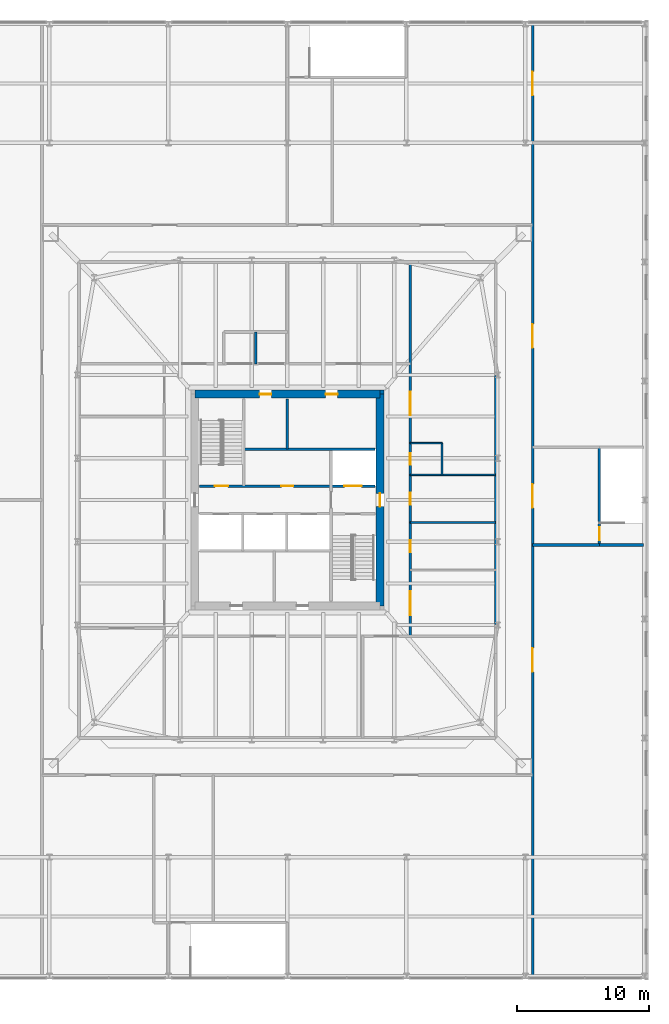
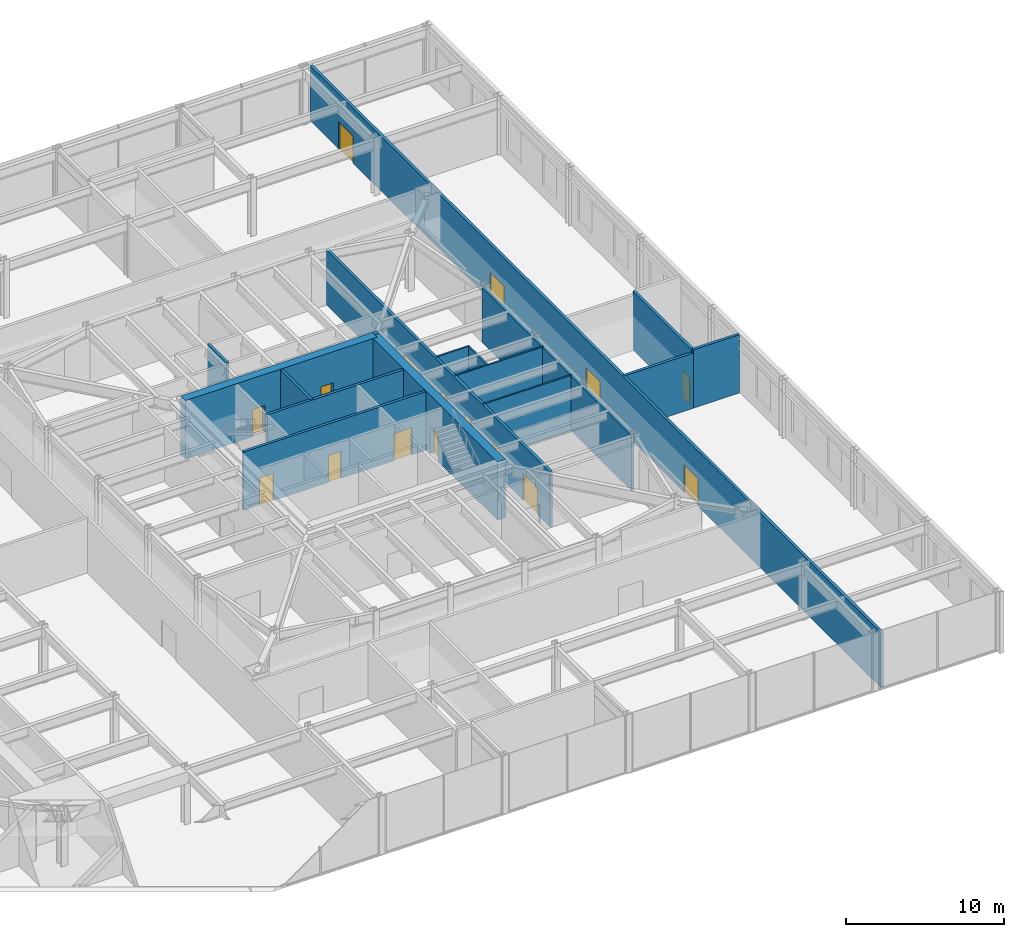
# One storey, part 25 of 30: 17 walls, 16 doors, 16 openings.
"""IFC4 building model written with IfcOpenShell, lengths in metres."""

from ifc_helpers import new_model, si_unit, direction, frame, frame_2d, origin, place, context, subcontext, project, spatial, rectangle, extrude, material, layer, layer_set, type_object, element, fill, save


model = new_model("IFC4")

# Units and contexts
model_context = context("Model", 3, precision=1e-05, world=origin(), true_north=direction((0.0, 1.0)))
body_context = subcontext(model_context, "Body", "Model", "MODEL_VIEW")
ifc_project = project(units=[si_unit("LENGTHUNIT", "METRE"), si_unit("AREAUNIT", "SQUARE_METRE"), si_unit("VOLUMEUNIT", "CUBIC_METRE"), si_unit("PLANEANGLEUNIT", "RADIAN"), si_unit("MASSUNIT", "GRAM", prefix="KILO")], contexts=[model_context])

# Site, building, storey
site_placement = place(None, origin())
site = spatial("IfcSite", under=ifc_project, at=site_placement, CompositionType="ELEMENT")
building_placement = place(site_placement, origin())
building = spatial("IfcBuilding", under=site, at=building_placement, Name="Iwan Alto Co-Living Towers", CompositionType="ELEMENT")
storey_placement = place(building_placement, frame((0.0, 0.0, 10.5)))
storey = spatial("IfcBuildingStorey", under=building, at=storey_placement, Name="L02", CompositionType="ELEMENT", Elevation=10.5)

# Wall
ifc_material_1 = material(Name="Concrete block masonry f*p 10 MPa", Category="masonry")
ifc_layer_1 = layer(ifc_material_1, 0.199951171875)
ifc_layer_set_1 = layer_set([ifc_layer_1], Name="PODIUM INTERNAL WALL 200")
wall_type_1 = type_object("IfcWallType", Name="PODIUM INTERNAL WALL 200", PredefinedType="SOLIDWALL", material=ifc_layer_set_1)
wall_1_placement = place(storey_placement, frame((81.550048828125, -3.39990234375, 0.0), z_axis=(0.0, 0.0, 1.0), x_axis=(1.0, 0.0, 0.0)))
element("IfcWall", 1, at=wall_1_placement, inside=storey, type_object=wall_type_1, Name="Partition L02", PredefinedType="SOLIDWALL", context=body_context, shape_type="SweptSolid", body=[
    extrude(rectangle(XDim=5.050048828125, YDim=0.199951171875, at=frame_2d((2.52490234375, 0.0))), origin(), (0.0, 0.0, 1.0), 4.25),
])

# Wall, openings, doors
wall_2_placement = place(storey_placement, frame((81.550048828125, -36.050048828125, 0.0), z_axis=(0.0, 0.0, 1.0), x_axis=(0.0, 1.0, 0.0)))
wall_2 = element("IfcWall", 2, at=wall_2_placement, inside=storey, type_object=wall_type_1, Name="Partition L02", PredefinedType="SOLIDWALL", context=body_context, shape_type="SweptSolid", body=[
    extrude(rectangle(XDim=72.10009765625, YDim=0.199951171875, at=frame_2d((36.050048828125, 0.0))), origin(), (0.0, 0.0, 1.0), 4.25),
])
opening_1_placement = place(wall_2_placement, frame((66.64990234375, 0.0, 0.0)))
opening_1 = element("IfcOpeningElement", 3, at=opening_1_placement, cuts=wall_2, Name="Opening D9", PredefinedType="OPENING", context=body_context, shape_type="SweptSolid", body=[
    extrude(rectangle(XDim=1.800048828125, YDim=2.10009765625, at=frame_2d((0.89990234375, 1.050048828125))), frame((0.0, 0.10986328125, 0.0), z_axis=(0.0, -1.0, 0.0), x_axis=(1.0, 0.0, 0.0)), (0.0, 0.0, 1.0), 0.219970703125),
])
opening_2_placement = place(wall_2_placement, frame((23.050048828125, 0.0, 0.0)))
opening_2 = element("IfcOpeningElement", 4, at=opening_2_placement, cuts=wall_2, Name="Opening D9", PredefinedType="OPENING", context=body_context, shape_type="SweptSolid", body=[
    extrude(rectangle(XDim=1.800048828125, YDim=2.10009765625, at=frame_2d((0.89990234375, 1.050048828125))), frame((0.0, 0.10986328125, 0.0), z_axis=(0.0, -1.0, 0.0), x_axis=(1.0, 0.0, 0.0)), (0.0, 0.0, 1.0), 0.219970703125),
])
opening_3_placement = place(wall_2_placement, frame((35.449951171875, 0.0, 0.0)))
opening_3 = element("IfcOpeningElement", 5, at=opening_3_placement, cuts=wall_2, Name="Opening D9", PredefinedType="OPENING", context=body_context, shape_type="SweptSolid", body=[
    extrude(rectangle(XDim=1.800048828125, YDim=2.10009765625, at=frame_2d((0.89990234375, 1.050048828125))), frame((0.0, 0.10986328125, 0.0), z_axis=(0.0, -1.0, 0.0), x_axis=(1.0, 0.0, 0.0)), (0.0, 0.0, 1.0), 0.219970703125),
])
opening_4_placement = place(wall_2_placement, frame((47.550048828125, 0.0, 0.0)))
opening_4 = element("IfcOpeningElement", 6, at=opening_4_placement, cuts=wall_2, Name="Opening D9", PredefinedType="OPENING", context=body_context, shape_type="SweptSolid", body=[
    extrude(rectangle(XDim=1.800048828125, YDim=2.10009765625, at=frame_2d((0.89990234375, 1.050048828125))), frame((0.0, 0.10986328125, 0.0), z_axis=(0.0, -1.0, 0.0), x_axis=(1.0, 0.0, 0.0)), (0.0, 0.0, 1.0), 0.219970703125),
])
ifc_material_2 = material(Name="Steel frame with timber leaf", Category="steel")
door_type_1 = type_object("IfcDoorType", Name="LOUNGE DOOR FD30S 1800X2100", OperationType="DOUBLE_DOOR_SINGLE_SWING", PredefinedType="DOOR", material=ifc_material_2)
door_1_placement = place(opening_1_placement, origin())
door_1 = element("IfcDoor", 7, at=door_1_placement, inside=storey, type_object=door_type_1, Name="Store door L02", OperationType="DOUBLE_DOOR_SINGLE_SWING", OverallHeight=2.10009765625, OverallWidth=1.800048828125, PredefinedType="DOOR", context=body_context, shape_type="SweptSolid", body=[
    extrude(rectangle(XDim=1.800048828125, YDim=2.10009765625, at=frame_2d((0.89990234375, 1.050048828125))), frame((0.0, 0.02490234375, 0.0), z_axis=(0.0, -1.0, 0.0), x_axis=(1.0, 0.0, 0.0)), (0.0, 0.0, 1.0), 0.050048828125),
])
fill(opening_1, door_1)
door_2_placement = place(opening_2_placement, frame((1.800048828125, 0.0, 0.0), z_axis=(0.0, 0.0, 1.0), x_axis=(-1.0, 0.0, 0.0)))
door_2 = element("IfcDoor", 8, at=door_2_placement, inside=storey, type_object=door_type_1, Name="Plant room door L02", OperationType="DOUBLE_DOOR_SINGLE_SWING", OverallHeight=2.10009765625, OverallWidth=1.800048828125, PredefinedType="DOOR", context=body_context, shape_type="SweptSolid", body=[
    extrude(rectangle(XDim=1.800048828125, YDim=2.10009765625, at=frame_2d((0.89990234375, 1.050048828125))), frame((0.0, 0.02490234375, 0.0), z_axis=(0.0, -1.0, 0.0), x_axis=(1.0, 0.0, 0.0)), (0.0, 0.0, 1.0), 0.050048828125),
])
fill(opening_2, door_2)
door_3_placement = place(opening_3_placement, frame((1.800048828125, 0.0, 0.0), z_axis=(0.0, 0.0, 1.0), x_axis=(-1.0, 0.0, 0.0)))
door_3 = element("IfcDoor", 9, at=door_3_placement, inside=storey, type_object=door_type_1, Name="Stair lobby door L02", OperationType="DOUBLE_DOOR_SINGLE_SWING", OverallHeight=2.10009765625, OverallWidth=1.800048828125, PredefinedType="DOOR", context=body_context, shape_type="SweptSolid", body=[
    extrude(rectangle(XDim=1.800048828125, YDim=2.10009765625, at=frame_2d((0.89990234375, 1.050048828125))), frame((0.0, 0.02490234375, 0.0), z_axis=(0.0, -1.0, 0.0), x_axis=(1.0, 0.0, 0.0)), (0.0, 0.0, 1.0), 0.050048828125),
])
fill(opening_3, door_3)
door_4_placement = place(opening_4_placement, frame((1.800048828125, 0.0, 0.0), z_axis=(0.0, 0.0, 1.0), x_axis=(-1.0, 0.0, 0.0)))
door_4 = element("IfcDoor", 10, at=door_4_placement, inside=storey, type_object=door_type_1, Name="Plant room door L02", OperationType="DOUBLE_DOOR_SINGLE_SWING", OverallHeight=2.10009765625, OverallWidth=1.800048828125, PredefinedType="DOOR", context=body_context, shape_type="SweptSolid", body=[
    extrude(rectangle(XDim=1.800048828125, YDim=2.10009765625, at=frame_2d((0.89990234375, 1.050048828125))), frame((0.0, 0.02490234375, 0.0), z_axis=(0.0, -1.0, 0.0), x_axis=(1.0, 0.0, 0.0)), (0.0, 0.0, 1.0), 0.050048828125),
])
fill(opening_4, door_4)

wall_3_placement = place(storey_placement, frame((72.300048828125, -10.300048828125, 0.0), z_axis=(0.0, 0.0, 1.0), x_axis=(0.0, 1.0, 0.0)))
wall_3 = element("IfcWall", 11, at=wall_3_placement, inside=storey, type_object=wall_type_1, Name="Partition L02", PredefinedType="SOLIDWALL", context=body_context, shape_type="SweptSolid", body=[
    extrude(rectangle(XDim=28.300048828125, YDim=0.199951171875, at=frame_2d((14.14990234375, 0.0))), origin(), (0.0, 0.0, 1.0), 4.25),
])
opening_5_placement = place(wall_3_placement, frame((1.60009765625, 0.0, 0.0)))
opening_5 = element("IfcOpeningElement", 12, at=opening_5_placement, cuts=wall_3, Name="Opening D9", PredefinedType="OPENING", context=body_context, shape_type="SweptSolid", body=[
    extrude(rectangle(XDim=1.800048828125, YDim=2.10009765625, at=frame_2d((0.89990234375, 1.050048828125))), frame((0.0, 0.10986328125, 0.0), z_axis=(0.0, -1.0, 0.0), x_axis=(1.0, 0.0, 0.0)), (0.0, 0.0, 1.0), 0.219970703125),
])
opening_6_placement = place(wall_3_placement, frame((6.35009765625, 0.0, 0.0)))
opening_6 = element("IfcOpeningElement", 13, at=opening_6_placement, cuts=wall_3, Name="Opening D4", PredefinedType="OPENING", context=body_context, shape_type="SweptSolid", body=[
    extrude(rectangle(XDim=0.89990234375, YDim=2.10009765625, at=frame_2d((0.449951171875, 1.050048828125))), frame((0.0, 0.10986328125, 0.0), z_axis=(0.0, -1.0, 0.0), x_axis=(1.0, 0.0, 0.0)), (0.0, 0.0, 1.0), 0.219970703125),
])
opening_7_placement = place(wall_3_placement, frame((9.949951171875, 0.0, 0.0)))
opening_7 = element("IfcOpeningElement", 14, at=opening_7_placement, cuts=wall_3, Name="Opening D4", PredefinedType="OPENING", context=body_context, shape_type="SweptSolid", body=[
    extrude(rectangle(XDim=0.89990234375, YDim=2.10009765625, at=frame_2d((0.449951171875, 1.050048828125))), frame((0.0, 0.10986328125, 0.0), z_axis=(0.0, -1.0, 0.0), x_axis=(1.0, 0.0, 0.0)), (0.0, 0.0, 1.0), 0.219970703125),
])
opening_8_placement = place(wall_3_placement, frame((12.949951171875, 0.0, 0.0)))
opening_8 = element("IfcOpeningElement", 15, at=opening_8_placement, cuts=wall_3, Name="Opening D4", PredefinedType="OPENING", context=body_context, shape_type="SweptSolid", body=[
    extrude(rectangle(XDim=0.89990234375, YDim=2.10009765625, at=frame_2d((0.449951171875, 1.050048828125))), frame((0.0, 0.10986328125, 0.0), z_axis=(0.0, -1.0, 0.0), x_axis=(1.0, 0.0, 0.0)), (0.0, 0.0, 1.0), 0.219970703125),
])
opening_9_placement = place(wall_3_placement, frame((16.699951171875, 0.0, 0.0)))
opening_9 = element("IfcOpeningElement", 16, at=opening_9_placement, cuts=wall_3, Name="Opening D9", PredefinedType="OPENING", context=body_context, shape_type="SweptSolid", body=[
    extrude(rectangle(XDim=1.800048828125, YDim=2.10009765625, at=frame_2d((0.89990234375, 1.050048828125))), frame((0.0, 0.10986328125, 0.0), z_axis=(0.0, -1.0, 0.0), x_axis=(1.0, 0.0, 0.0)), (0.0, 0.0, 1.0), 0.219970703125),
])
door_5_placement = place(opening_5_placement, frame((1.800048828125, 0.0, 0.0), z_axis=(0.0, 0.0, 1.0), x_axis=(-1.0, 0.0, 0.0)))
door_5 = element("IfcDoor", 17, at=door_5_placement, inside=storey, type_object=door_type_1, Name="Tea point door L02", OperationType="DOUBLE_DOOR_SINGLE_SWING", OverallHeight=2.10009765625, OverallWidth=1.800048828125, PredefinedType="DOOR", context=body_context, shape_type="SweptSolid", body=[
    extrude(rectangle(XDim=1.800048828125, YDim=2.10009765625, at=frame_2d((0.89990234375, 1.050048828125))), frame((0.0, 0.02490234375, 0.0), z_axis=(0.0, -1.0, 0.0), x_axis=(1.0, 0.0, 0.0)), (0.0, 0.0, 1.0), 0.050048828125),
])
fill(opening_5, door_5)
door_6_placement = place(opening_9_placement, frame((1.800048828125, 0.0, 0.0), z_axis=(0.0, 0.0, 1.0), x_axis=(-1.0, 0.0, 0.0)))
door_6 = element("IfcDoor", 18, at=door_6_placement, inside=storey, type_object=door_type_1, Name="Co-working zone door L02", OperationType="DOUBLE_DOOR_SINGLE_SWING", OverallHeight=2.10009765625, OverallWidth=1.800048828125, PredefinedType="DOOR", context=body_context, shape_type="SweptSolid", body=[
    extrude(rectangle(XDim=1.800048828125, YDim=2.10009765625, at=frame_2d((0.89990234375, 1.050048828125))), frame((0.0, 0.02490234375, 0.0), z_axis=(0.0, -1.0, 0.0), x_axis=(1.0, 0.0, 0.0)), (0.0, 0.0, 1.0), 0.050048828125),
])
fill(opening_9, door_6)
ifc_material_3 = material(Name="Timber leaf in steel frame", Category="steel")
door_type_2 = type_object("IfcDoorType", Name="WC DOOR 900X2100", OperationType="SINGLE_SWING_LEFT", PredefinedType="DOOR", material=ifc_material_3)
door_7_placement = place(opening_6_placement, frame((0.89990234375, 0.0, 0.0), z_axis=(0.0, 0.0, 1.0), x_axis=(-1.0, 0.0, 0.0)))
door_7 = element("IfcDoor", 19, at=door_7_placement, inside=storey, type_object=door_type_2, Name="Women's toilets door L02", OperationType="SINGLE_SWING_RIGHT", OverallHeight=2.10009765625, OverallWidth=0.89990234375, PredefinedType="DOOR", context=body_context, shape_type="SweptSolid", body=[
    extrude(rectangle(XDim=0.89990234375, YDim=2.10009765625, at=frame_2d((0.449951171875, 1.050048828125))), frame((0.0, 0.02490234375, 0.0), z_axis=(0.0, -1.0, 0.0), x_axis=(1.0, 0.0, 0.0)), (0.0, 0.0, 1.0), 0.050048828125),
])
fill(opening_6, door_7)
door_8_placement = place(opening_7_placement, frame((0.89990234375, 0.0, 0.0), z_axis=(0.0, 0.0, 1.0), x_axis=(-1.0, 0.0, 0.0)))
door_8 = element("IfcDoor", 20, at=door_8_placement, inside=storey, type_object=door_type_2, Name="Men's toilets door L02", OperationType="SINGLE_SWING_RIGHT", OverallHeight=2.10009765625, OverallWidth=0.89990234375, PredefinedType="DOOR", context=body_context, shape_type="SweptSolid", body=[
    extrude(rectangle(XDim=0.89990234375, YDim=2.10009765625, at=frame_2d((0.449951171875, 1.050048828125))), frame((0.0, 0.02490234375, 0.0), z_axis=(0.0, -1.0, 0.0), x_axis=(1.0, 0.0, 0.0)), (0.0, 0.0, 1.0), 0.050048828125),
])
fill(opening_7, door_8)
door_9_placement = place(opening_8_placement, frame((0.89990234375, 0.0, 0.0), z_axis=(0.0, 0.0, 1.0), x_axis=(-1.0, 0.0, 0.0)))
door_9 = element("IfcDoor", 21, at=door_9_placement, inside=storey, type_object=door_type_2, Name="Accessible WC door L02", OperationType="SINGLE_SWING_RIGHT", OverallHeight=2.10009765625, OverallWidth=0.89990234375, PredefinedType="DOOR", context=body_context, shape_type="SweptSolid", body=[
    extrude(rectangle(XDim=0.89990234375, YDim=2.10009765625, at=frame_2d((0.449951171875, 1.050048828125))), frame((0.0, 0.02490234375, 0.0), z_axis=(0.0, -1.0, 0.0), x_axis=(1.0, 0.0, 0.0)), (0.0, 0.0, 1.0), 0.050048828125),
])
fill(opening_8, door_9)

# Walls
wall_4_placement = place(storey_placement, frame((60.60009765625, 10.300048828125, 0.0), z_axis=(0.0, 0.0, 1.0), x_axis=(0.0, 1.0, 0.0)))
element("IfcWall", 22, at=wall_4_placement, inside=storey, type_object=wall_type_1, Name="Partition L02", PredefinedType="SOLIDWALL", context=body_context, shape_type="SweptSolid", body=[
    extrude(rectangle(XDim=2.39990234375, YDim=0.199951171875, at=frame_2d((1.199951171875, 0.0))), origin(), (0.0, 0.0, 1.0), 4.25),
])
wall_5_placement = place(storey_placement, frame((78.75, -9.427978515625, 0.0), z_axis=(0.0, 0.0, 1.0), x_axis=(0.0, 1.0, 0.0)))
element("IfcWall", 23, at=wall_5_placement, inside=storey, type_object=wall_type_1, Name="Partition L02", PredefinedType="SOLIDWALL", context=body_context, shape_type="SweptSolid", body=[
    extrude(rectangle(XDim=18.85595703125, YDim=0.199951171875, at=frame_2d((9.427978515625, 0.0))), origin(), (0.0, 0.0, 1.0), 4.25),
])
ifc_material_4 = material(Name="Concrete f'c 70 MPa", Category="concrete")
ifc_layer_2 = layer(ifc_material_4, 0.199951171875)
ifc_layer_set_2 = layer_set([ifc_layer_2], Name="SHAFT WALL 200")
wall_type_2 = type_object("IfcWallType", Name="SHAFT WALL 200", PredefinedType="SOLIDWALL", material=ifc_layer_set_2)
wall_6_placement = place(storey_placement, frame((86.60009765625, -3.39990234375, 0.0), z_axis=(0.0, 0.0, 1.0), x_axis=(1.0, 0.0, 0.0)))
element("IfcWall", 24, at=wall_6_placement, inside=storey, type_object=wall_type_2, Name="Shaft wall L02", PredefinedType="SOLIDWALL", context=body_context, shape_type="SweptSolid", body=[
    extrude(rectangle(XDim=3.33984375, YDim=0.199951171875, at=frame_2d((1.669921875, 0.0))), origin(), (0.0, 0.0, 1.0), 4.5),
])

# Wall, openings, doors
wall_7_placement = place(storey_placement, frame((56.360107421875, 1.050048828125, 0.0), z_axis=(0.0, 0.0, 1.0), x_axis=(1.0, 0.0, 0.0)))
wall_7 = element("IfcWall", 25, at=wall_7_placement, inside=storey, type_object=wall_type_2, Name="Shaft wall L02", PredefinedType="SOLIDWALL", context=body_context, shape_type="SweptSolid", body=[
    extrude(rectangle(XDim=13.27978515625, YDim=0.199951171875, at=frame_2d((6.639892578125, 0.0))), origin(), (0.0, 0.0, 1.0), 4.5),
])
opening_10_placement = place(wall_7_placement, frame((1.169921875, 0.0, 0.0)))
opening_10 = element("IfcOpeningElement", 26, at=opening_10_placement, cuts=wall_7, Name="Opening D5", PredefinedType="OPENING", context=body_context, shape_type="SweptSolid", body=[
    extrude(rectangle(XDim=1.0, YDim=2.10009765625, at=frame_2d((0.5, 1.050048828125))), frame((0.0, 0.10986328125, 0.0), z_axis=(0.0, -1.0, 0.0), x_axis=(1.0, 0.0, 0.0)), (0.0, 0.0, 1.0), 0.219970703125),
])
opening_11_placement = place(wall_7_placement, frame((6.18994140625, 0.0, 0.0)))
opening_11 = element("IfcOpeningElement", 27, at=opening_11_placement, cuts=wall_7, Name="Opening D8", PredefinedType="OPENING", context=body_context, shape_type="SweptSolid", body=[
    extrude(rectangle(XDim=0.89990234375, YDim=2.10009765625, at=frame_2d((0.449951171875, 1.050048828125))), frame((0.0, 0.10986328125, 0.0), z_axis=(0.0, -1.0, 0.0), x_axis=(1.0, 0.0, 0.0)), (0.0, 0.0, 1.0), 0.219970703125),
])
opening_12_placement = place(wall_7_placement, frame((10.9599609375, 0.0, 0.0)))
opening_12 = element("IfcOpeningElement", 28, at=opening_12_placement, cuts=wall_7, Name="Opening LD2", PredefinedType="OPENING", context=body_context, shape_type="SweptSolid", body=[
    extrude(rectangle(XDim=1.300048828125, YDim=2.10009765625, at=frame_2d((0.64990234375, 1.050048828125))), frame((0.0, 0.10986328125, 0.0), z_axis=(0.0, -1.0, 0.0), x_axis=(1.0, 0.0, 0.0)), (0.0, 0.0, 1.0), 0.219970703125),
])
ifc_material_5 = material(Name="Steel frame with timber leaf", Category="steel")
door_type_3 = type_object("IfcDoorType", Name="LIFT LANDING DOOR 1300X2100", OperationType="SLIDING_TO_LEFT", PredefinedType="DOOR", material=ifc_material_5)
door_10_placement = place(opening_12_placement, origin())
door_10 = element("IfcDoor", 29, at=door_10_placement, inside=storey, type_object=door_type_3, Name="Lift FL2 landing door L02", OperationType="SLIDING_TO_LEFT", OverallHeight=2.10009765625, OverallWidth=1.300048828125, PredefinedType="DOOR", context=body_context, shape_type="SweptSolid", body=[
    extrude(rectangle(XDim=1.300048828125, YDim=2.10009765625, at=frame_2d((0.64990234375, 1.050048828125))), frame((0.0, 0.02490234375, 0.0), z_axis=(0.0, -1.0, 0.0), x_axis=(1.0, 0.0, 0.0)), (0.0, 0.0, 1.0), 0.050048828125),
])
fill(opening_12, door_10)
ifc_material_6 = material(Name="Steel frame with timber leaf", Category="steel")
door_type_4 = type_object("IfcDoorType", Name="RISER DOOR FD120 900X2100", OperationType="SINGLE_SWING_LEFT", PredefinedType="DOOR", material=ifc_material_6)
door_11_placement = place(opening_11_placement, origin())
door_11 = element("IfcDoor", 30, at=door_11_placement, inside=storey, type_object=door_type_4, Name="Riser room door L02", OperationType="SINGLE_SWING_LEFT", OverallHeight=2.10009765625, OverallWidth=0.89990234375, PredefinedType="DOOR", context=body_context, shape_type="SweptSolid", body=[
    extrude(rectangle(XDim=0.89990234375, YDim=2.10009765625, at=frame_2d((0.449951171875, 1.050048828125))), frame((0.0, 0.02490234375, 0.0), z_axis=(0.0, -1.0, 0.0), x_axis=(1.0, 0.0, 0.0)), (0.0, 0.0, 1.0), 0.050048828125),
])
fill(opening_11, door_11)
ifc_material_7 = material(Name="Steel frame with timber leaf", Category="steel")
door_type_5 = type_object("IfcDoorType", Name="STAIR DOOR FD120S 1000X2100", OperationType="SINGLE_SWING_LEFT", PredefinedType="DOOR", material=ifc_material_7)
door_12_placement = place(opening_10_placement, origin())
door_12 = element("IfcDoor", 31, at=door_12_placement, inside=storey, type_object=door_type_5, Name="Stair S1 door L02", OperationType="SINGLE_SWING_RIGHT", OverallHeight=2.10009765625, OverallWidth=1.0, PredefinedType="DOOR", context=body_context, shape_type="SweptSolid", body=[
    extrude(rectangle(XDim=1.0, YDim=2.10009765625, at=frame_2d((0.5, 1.050048828125))), frame((0.0, 0.02490234375, 0.0), z_axis=(0.0, -1.0, 0.0), x_axis=(1.0, 0.0, 0.0)), (0.0, 0.0, 1.0), 0.050048828125),
])
fill(opening_10, door_12)

# Wall
wall_8_placement = place(storey_placement, frame((59.699951171875, 3.85009765625, 0.0), z_axis=(0.0, 0.0, 1.0), x_axis=(1.0, 0.0, 0.0)))
element("IfcWall", 32, at=wall_8_placement, inside=storey, type_object=wall_type_2, Name="Shaft wall L02", PredefinedType="SOLIDWALL", context=body_context, shape_type="SweptSolid", body=[
    extrude(rectangle(XDim=9.93994140625, YDim=0.199951171875, at=frame_2d((4.969970703125, 0.0))), origin(), (0.0, 0.0, 1.0), 4.5),
])

# Wall, opening, door
wall_9_placement = place(storey_placement, frame((86.60009765625, -3.39990234375, 0.0), z_axis=(0.0, 0.0, 1.0), x_axis=(0.0, 1.0, 0.0)))
wall_9 = element("IfcWall", 33, at=wall_9_placement, inside=storey, type_object=wall_type_2, Name="Shaft wall L02", PredefinedType="SOLIDWALL", context=body_context, shape_type="SweptSolid", body=[
    extrude(rectangle(XDim=7.39990234375, YDim=0.199951171875, at=frame_2d((3.699951171875, 0.0))), origin(), (0.0, 0.0, 1.0), 4.5),
])
opening_13_placement = place(wall_9_placement, frame((0.35009765625, 0.0, 0.0)))
opening_13 = element("IfcOpeningElement", 34, at=opening_13_placement, cuts=wall_9, Name="Opening D5", PredefinedType="OPENING", context=body_context, shape_type="SweptSolid", body=[
    extrude(rectangle(XDim=1.0, YDim=2.10009765625, at=frame_2d((0.5, 1.050048828125))), frame((0.0, 0.10986328125, 0.0), z_axis=(0.0, -1.0, 0.0), x_axis=(1.0, 0.0, 0.0)), (0.0, 0.0, 1.0), 0.219970703125),
])
door_13_placement = place(opening_13_placement, frame((1.0, 0.0, 0.0), z_axis=(0.0, 0.0, 1.0), x_axis=(-1.0, 0.0, 0.0)))
door_13 = element("IfcDoor", 35, at=door_13_placement, inside=storey, type_object=door_type_5, Name="Stair PS2 door L02", OperationType="SINGLE_SWING_RIGHT", OverallHeight=2.10009765625, OverallWidth=1.0, PredefinedType="DOOR", context=body_context, shape_type="SweptSolid", body=[
    extrude(rectangle(XDim=1.0, YDim=2.10009765625, at=frame_2d((0.5, 1.050048828125))), frame((0.0, 0.02490234375, 0.0), z_axis=(0.0, -1.0, 0.0), x_axis=(1.0, 0.0, 0.0)), (0.0, 0.0, 1.0), 0.050048828125),
])
fill(opening_13, door_13)

# Walls
wall_10_placement = place(storey_placement, frame((63.0, 3.85009765625, 0.0), z_axis=(0.0, 0.0, 1.0), x_axis=(0.0, 1.0, 0.0)))
element("IfcWall", 36, at=wall_10_placement, inside=storey, type_object=wall_type_2, Name="Shaft wall L02", PredefinedType="SOLIDWALL", context=body_context, shape_type="SweptSolid", body=[
    extrude(rectangle(XDim=3.789794921875, YDim=0.199951171875, at=frame_2d((1.89501953125, 0.0))), origin(), (0.0, 0.0, 1.0), 4.5),
])
ifc_material_8 = material(Name="Concrete f'c 70 MPa", Category="concrete")
ifc_layer_3 = layer(ifc_material_8, 0.300048828125)
ifc_layer_set_3 = layer_set([ifc_layer_3], Name="T2 CORE CORNER FILL 300")
wall_type_3 = type_object("IfcWallType", Name="T2 CORE CORNER FILL 300", PredefinedType="SOLIDWALL", material=ifc_layer_set_3)
wall_11_placement = place(storey_placement, frame((70.0, 8.14990234375, 0.0), z_axis=(0.0, 0.0, 1.0), x_axis=(1.0, 0.0, 0.0)))
element("IfcWall", 37, at=wall_11_placement, inside=storey, type_object=wall_type_3, Name="T2 core corner NE L02", PredefinedType="SOLIDWALL", context=body_context, shape_type="SweptSolid", body=[
    extrude(rectangle(XDim=0.300048828125, YDim=0.300048828125, at=frame_2d((0.14990234375, 0.0))), origin(), (0.0, 0.0, 1.0), 4.5),
])

# Wall, openings, doors
ifc_material_9 = material(Name="Concrete f'c 70 MPa", Category="concrete")
ifc_layer_4 = layer(ifc_material_9, 0.60009765625)
ifc_layer_set_4 = layer_set([ifc_layer_4], Name="T2 CORE WALL 600")
wall_type_4 = type_object("IfcWallType", Name="T2 CORE WALL 600", PredefinedType="SHEAR", material=ifc_layer_set_4)
wall_12_placement = place(storey_placement, frame((70.0, 8.0, 0.0), z_axis=(0.0, 0.0, 1.0), x_axis=(-1.0, 0.0, 0.0)))
wall_12 = element("IfcWall", 38, at=wall_12_placement, inside=storey, type_object=wall_type_4, Name="T2 core wall N L02", PredefinedType="SHEAR", context=body_context, shape_type="SweptSolid", body=[
    extrude(rectangle(XDim=14.0, YDim=0.60009765625, at=frame_2d((7.0, 0.0))), origin(), (0.0, 0.0, 1.0), 4.5),
])
opening_14_placement = place(wall_12_placement, frame((8.199951171875, 0.0, 0.0)))
opening_14 = element("IfcOpeningElement", 39, at=opening_14_placement, cuts=wall_12, Name="Opening D8", PredefinedType="OPENING", context=body_context, shape_type="SweptSolid", body=[
    extrude(rectangle(XDim=0.89990234375, YDim=2.10009765625, at=frame_2d((0.449951171875, 1.050048828125))), frame((0.0, 0.31005859375, 0.0), z_axis=(0.0, -1.0, 0.0), x_axis=(1.0, 0.0, 0.0)), (0.0, 0.0, 1.0), 0.6201171875),
])
opening_15_placement = place(wall_12_placement, frame((3.199951171875, 0.0, 0.0)))
opening_15 = element("IfcOpeningElement", 40, at=opening_15_placement, cuts=wall_12, Name="Opening D8", PredefinedType="OPENING", context=body_context, shape_type="SweptSolid", body=[
    extrude(rectangle(XDim=0.89990234375, YDim=2.10009765625, at=frame_2d((0.449951171875, 1.050048828125))), frame((0.0, 0.31005859375, 0.0), z_axis=(0.0, -1.0, 0.0), x_axis=(1.0, 0.0, 0.0)), (0.0, 0.0, 1.0), 0.6201171875),
])
door_14_placement = place(opening_14_placement, origin())
door_14 = element("IfcDoor", 41, at=door_14_placement, inside=storey, type_object=door_type_4, Name="Electrical riser core door L02", OperationType="SINGLE_SWING_RIGHT", OverallHeight=2.10009765625, OverallWidth=0.89990234375, PredefinedType="DOOR", context=body_context, shape_type="SweptSolid", body=[
    extrude(rectangle(XDim=0.89990234375, YDim=2.10009765625, at=frame_2d((0.449951171875, 1.050048828125))), frame((0.0, 0.02490234375, 0.0), z_axis=(0.0, -1.0, 0.0), x_axis=(1.0, 0.0, 0.0)), (0.0, 0.0, 1.0), 0.050048828125),
])
fill(opening_14, door_14)
door_15_placement = place(opening_15_placement, origin())
door_15 = element("IfcDoor", 42, at=door_15_placement, inside=storey, type_object=door_type_4, Name="Water and drainage riser core door L02", OperationType="SINGLE_SWING_RIGHT", OverallHeight=2.10009765625, OverallWidth=0.89990234375, PredefinedType="DOOR", context=body_context, shape_type="SweptSolid", body=[
    extrude(rectangle(XDim=0.89990234375, YDim=2.10009765625, at=frame_2d((0.449951171875, 1.050048828125))), frame((0.0, 0.02490234375, 0.0), z_axis=(0.0, -1.0, 0.0), x_axis=(1.0, 0.0, 0.0)), (0.0, 0.0, 1.0), 0.050048828125),
])
fill(opening_15, door_15)

# Wall, opening, door
wall_13_placement = place(storey_placement, frame((70.0, -8.0, 0.0), z_axis=(0.0, 0.0, 1.0), x_axis=(0.0, 1.0, 0.0)))
wall_13 = element("IfcWall", 43, at=wall_13_placement, inside=storey, type_object=wall_type_4, Name="T2 core wall E L02", PredefinedType="SHEAR", context=body_context, shape_type="SweptSolid", body=[
    extrude(rectangle(XDim=16.0, YDim=0.60009765625, at=frame_2d((8.0, 0.0))), origin(), (0.0, 0.0, 1.0), 4.5),
])
opening_16_placement = place(wall_13_placement, frame((7.5, 0.0, 0.0)))
opening_16 = element("IfcOpeningElement", 44, at=opening_16_placement, cuts=wall_13, Name="Opening D7", PredefinedType="OPENING", context=body_context, shape_type="SweptSolid", body=[
    extrude(rectangle(XDim=1.0, YDim=2.10009765625, at=frame_2d((0.5, 1.050048828125))), frame((0.0, 0.31005859375, 0.0), z_axis=(0.0, -1.0, 0.0), x_axis=(1.0, 0.0, 0.0)), (0.0, 0.0, 1.0), 0.6201171875),
])
ifc_material_10 = material(Name="Steel frame with timber leaf", Category="steel")
door_type_6 = type_object("IfcDoorType", Name="CORE DOOR FD120S 1000X2100", OperationType="SINGLE_SWING_LEFT", PredefinedType="DOOR", material=ifc_material_10)
door_16_placement = place(opening_16_placement, origin())
door_16 = element("IfcDoor", 45, at=door_16_placement, inside=storey, type_object=door_type_6, Name="Firefighting lobby core door L02", OperationType="SINGLE_SWING_LEFT", OverallHeight=2.10009765625, OverallWidth=1.0, PredefinedType="DOOR", context=body_context, shape_type="SweptSolid", body=[
    extrude(rectangle(XDim=1.0, YDim=2.10009765625, at=frame_2d((0.5, 1.050048828125))), frame((0.0, 0.02490234375, 0.0), z_axis=(0.0, -1.0, 0.0), x_axis=(1.0, 0.0, 0.0)), (0.0, 0.0, 1.0), 0.050048828125),
])
fill(opening_16, door_16)

# Walls
ifc_material_11 = material(Name="Cement board")
ifc_layer_5 = layer(ifc_material_11, 0.012451171875, Name="Board", Category="Finish")
ifc_material_12 = material(Name="Steel ASTM A1003 ST33H cold-formed studs", Category="steel")
ifc_layer_6 = layer(ifc_material_12, 0.094970703125, Name="Studs", Category="Framing")
ifc_layer_7 = layer(ifc_material_11, 0.012451171875, Name="Board", Category="Finish")
ifc_layer_set_5 = layer_set([ifc_layer_5, ifc_layer_6, ifc_layer_7], Name="WET AREA PARTITION 120")
wall_type_5 = type_object("IfcWallType", Name="WET AREA PARTITION 120", PredefinedType="PARTITIONING", material=ifc_layer_set_5)
for number, where, z_axis, x_axis, name in (
    (46, (72.300048828125, -1.699951171875, 0.0), (0.0, 0.0, 1.0), (1.0, 0.0, 0.0), "Partition L02"),
    (47, (72.300048828125, 1.89990234375, 0.0), (0.0, 0.0, 1.0), (1.0, 0.0, 0.0), "Partition L02"),
):
    element("IfcWall", number, at=place(storey_placement, frame(where, z_axis=z_axis, x_axis=x_axis)), inside=storey, type_object=wall_type_5, Name=name, PredefinedType="PARTITIONING", context=body_context, shape_type="SweptSolid", body=[
        extrude(rectangle(XDim=6.449951171875, YDim=0.1201171875, at=frame_2d((3.22509765625, 0.0))), origin(), (0.0, 0.0, 1.0), 4.25),
    ])
wall_14_placement = place(storey_placement, frame((72.300048828125, 4.300048828125, 0.0), z_axis=(0.0, 0.0, 1.0), x_axis=(1.0, 0.0, 0.0)))
element("IfcWall", 48, at=wall_14_placement, inside=storey, type_object=wall_type_5, Name="Partition L02", PredefinedType="PARTITIONING", context=body_context, shape_type="SweptSolid", body=[
    extrude(rectangle(XDim=2.39990234375, YDim=0.1201171875, at=frame_2d((1.199951171875, 0.0))), origin(), (0.0, 0.0, 1.0), 4.25),
])
wall_15_placement = place(storey_placement, frame((74.699951171875, 1.89990234375, 0.0), z_axis=(0.0, 0.0, 1.0), x_axis=(0.0, 1.0, 0.0)))
element("IfcWall", 49, at=wall_15_placement, inside=storey, type_object=wall_type_5, Name="Partition L02", PredefinedType="PARTITIONING", context=body_context, shape_type="SweptSolid", body=[
    extrude(rectangle(XDim=2.400146484375, YDim=0.1201171875, at=frame_2d((1.2001953125, 0.0))), origin(), (0.0, 0.0, 1.0), 4.25),
])

save(model, "model.ifc")
